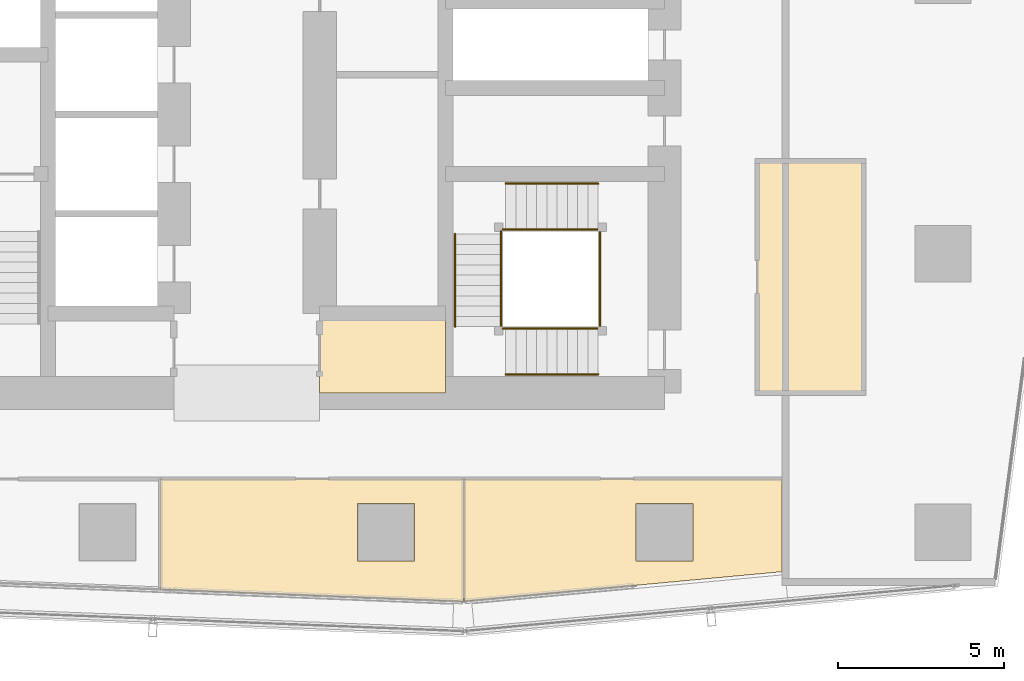
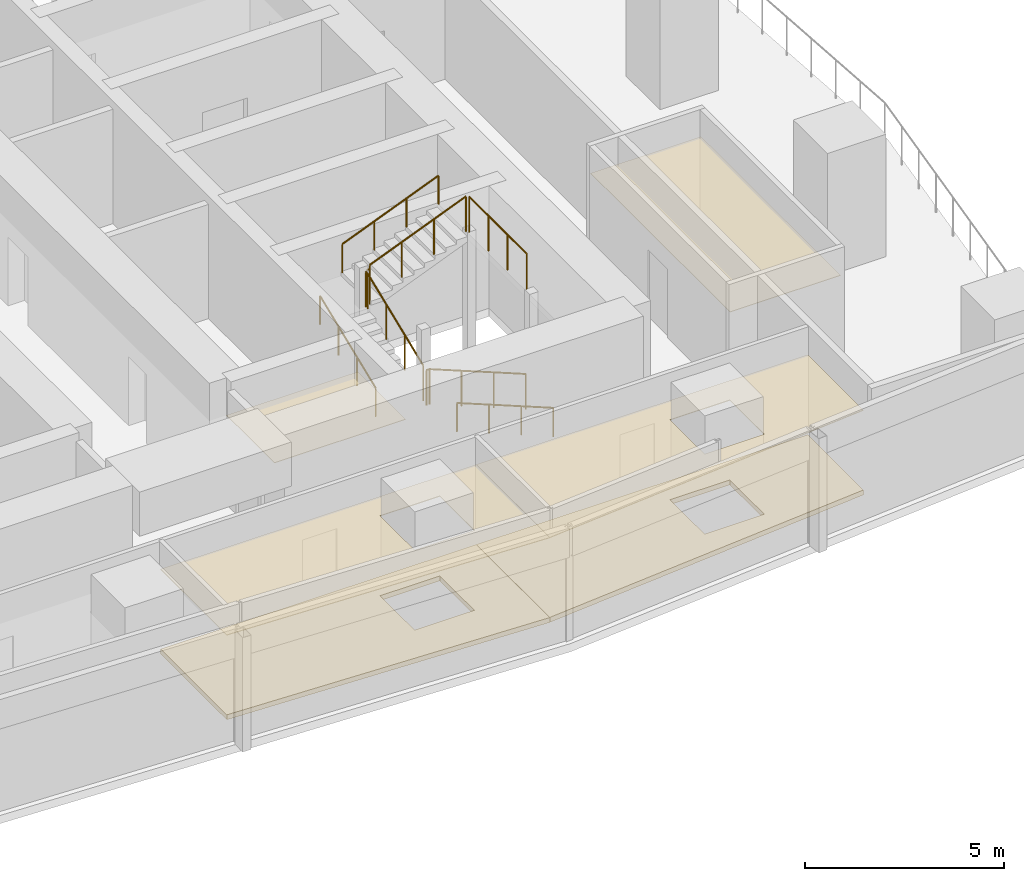
# One storey, part 32 of 34: 10 railings, 6 coverings.
"""IFC4 building model written with IfcOpenShell, lengths in metres."""

import ifcopenshell
import ifcopenshell.guid

model = None  # the IFC model being written
_history = None  # IfcOwnerHistory: only IFC2X3 demands one
_inside = {}  # id of a spatial element -> (the spatial element, [elements in it])
_under = {}  # id of a project, library or spatial element -> (it, [spatial elements below it])
_declared = {}  # id of a project -> (the project, [libraries it declares])
_typed = {}  # id of a type object -> (the type object, [elements of that type])
_made_of = {}  # id of a material, layer set ... -> (it, [elements and type objects made of it])


def new_model(schema):
    """Start an empty IFC model of exactly this schema.

    Asked for "IFC4X3", IfcOpenShell would pick the latest addendum, in which some entities
    have other attributes; the version numbers below select the first issue.
    IFC2X3 requires an IfcOwnerHistory on every rooted entity: one is made here for all.
    """
    global model, _history
    if schema == "IFC4X3":
        model = ifcopenshell.file(schema_version=(4, 3, 0, 0))
    else:
        model = ifcopenshell.file(schema=schema)
    _inside.clear()
    _under.clear()
    _declared.clear()
    _typed.clear()
    _made_of.clear()
    _history = None
    if model.schema == "IFC2X3":
        org = make("IfcOrganization", Name="unknown")
        user = make(
            "IfcPersonAndOrganization",
            ThePerson=make("IfcPerson", FamilyName="unknown"),
            TheOrganization=org,
        )
        app = make(
            "IfcApplication",
            ApplicationDeveloper=org,
            Version="unknown",
            ApplicationFullName="unknown",
            ApplicationIdentifier="unknown",
        )
        _history = make(
            "IfcOwnerHistory",
            OwningUser=user,
            OwningApplication=app,
            ChangeAction="ADDED",
            CreationDate=0,
        )
    return model


def make(cls, **values):
    """One entity of the class cls with the attributes given. An attribute that is None is left unset."""
    return model.create_entity(
        cls, **{name: value for name, value in values.items() if value is not None}
    )


def rooted(cls, **values):
    """An entity with a GlobalId (a new one), such as an element, a storey or a relation."""
    return make(cls, GlobalId=ifcopenshell.guid.new(), OwnerHistory=_history, **values)


def si_unit(unit_type, name, prefix=None):
    """IfcSIUnit, for example si_unit("LENGTHUNIT", "METRE", prefix="MILLI")."""
    return make("IfcSIUnit", UnitType=unit_type, Prefix=prefix, Name=name)


def assignment(units):
    """IfcUnitAssignment: the units of a project."""
    return None if units is None else make("IfcUnitAssignment", Units=units)


def point(xyz):
    """IfcCartesianPoint."""
    return None if xyz is None else make("IfcCartesianPoint", Coordinates=xyz)


def direction(xyz):
    """IfcDirection."""
    return None if xyz is None else make("IfcDirection", DirectionRatios=xyz)


def frame(location, z_axis=None, x_axis=None):
    """IfcAxis2Placement3D, a coordinate frame: its origin and axes. An axis left out is left unset."""
    return make(
        "IfcAxis2Placement3D",
        Location=point(location),
        Axis=direction(z_axis),
        RefDirection=direction(x_axis),
    )


def frame_2d(location, x_axis=None):
    """IfcAxis2Placement2D, a coordinate frame in the plane: its origin and x axis."""
    return make(
        "IfcAxis2Placement2D", Location=point(location), RefDirection=direction(x_axis)
    )


def origin():
    """The frame at (0, 0, 0) with its axes left unset."""
    return frame((0.0, 0.0, 0.0))


def origin_2d():
    """The frame at (0, 0) in the plane with its x axis left unset."""
    return frame_2d((0.0, 0.0))


def place(relative_to, where):
    """IfcLocalPlacement: puts the frame where relative to a parent placement (None: the world)."""
    return make(
        "IfcLocalPlacement", PlacementRelTo=relative_to, RelativePlacement=where
    )


def context(
    kind, dimensions, precision=None, world=None, true_north=None, identifier=None
):
    """IfcGeometricRepresentationContext, for example the 3D "Model" context."""
    return make(
        "IfcGeometricRepresentationContext",
        ContextIdentifier=identifier,
        ContextType=kind,
        CoordinateSpaceDimension=dimensions,
        Precision=precision,
        WorldCoordinateSystem=world,
        TrueNorth=true_north,
    )


def subcontext(parent, identifier, kind, view, scale=None):
    """IfcGeometricRepresentationSubContext, for example "Body" below "Model"."""
    return make(
        "IfcGeometricRepresentationSubContext",
        ContextIdentifier=identifier,
        ContextType=kind,
        ParentContext=parent,
        TargetScale=scale,
        TargetView=view,
    )


def project(units=None, contexts=None):
    """IfcProject with its units and contexts."""
    return rooted(
        "IfcProject",
        Name="project",
        RepresentationContexts=contexts,
        UnitsInContext=assignment(units),
    )


def spatial(cls, under=None, at=None, **own):
    """A site, building, storey or space (cls), placed at a placement, below another one or the project."""
    s = rooted(cls, ObjectPlacement=at, **own)
    if under is not None:
        _under.setdefault(under.id(), (under, []))[1].append(s)
    return s


def polyline(points):
    """IfcPolyline through the points."""
    return make("IfcPolyline", Points=[point(p) for p in points])


def profile(cls, at=None, kind="AREA", **sizes):
    """A parametric profile (cls). Its sizes go by their IFC names, for example OverallWidth=200.0."""
    return make(cls, ProfileType=kind, Position=at, **sizes)


def circle(**sizes):
    """IfcCircleProfileDef."""
    return profile("IfcCircleProfileDef", **sizes)


def outline(outer, holes=None, kind="AREA"):
    """IfcArbitraryClosedProfileDef: a profile drawn as a closed curve; with holes, ...WithVoids."""
    if holes is None:
        return make("IfcArbitraryClosedProfileDef", ProfileType=kind, OuterCurve=outer)
    return make(
        "IfcArbitraryProfileDefWithVoids",
        ProfileType=kind,
        OuterCurve=outer,
        InnerCurves=holes,
    )


def extrude(swept, where, along, depth):
    """IfcExtrudedAreaSolid: the profile swept, set in the frame where, extruded along a direction by depth."""
    return make(
        "IfcExtrudedAreaSolid",
        SweptArea=swept,
        Position=where,
        ExtrudedDirection=direction(along),
        Depth=depth,
    )


def shape(context_of_items, identifier, shape_type, items):
    """IfcShapeRepresentation: the items that make up one representation, for example the "Body"."""
    return make(
        "IfcShapeRepresentation",
        ContextOfItems=context_of_items,
        RepresentationIdentifier=identifier,
        RepresentationType=shape_type,
        Items=items,
    )


def material(Name=None, Category=None):
    """IfcMaterial."""
    return make("IfcMaterial", Name=Name, Category=Category)


def layer(
    of_material, thickness, ventilated=None, Name=None, Category=None, Priority=None
):
    """IfcMaterialLayer: one layer of a wall or slab, of a material (None: an air gap)."""
    return make(
        "IfcMaterialLayer",
        Material=of_material,
        LayerThickness=thickness,
        IsVentilated=ventilated,
        Name=Name,
        Category=Category,
        Priority=Priority,
    )


def layer_set(layers, Name=None):
    """IfcMaterialLayerSet."""
    return make("IfcMaterialLayerSet", MaterialLayers=layers, LayerSetName=Name)


def made_of(thing, what):
    """Note that an element or type object is made of a material, layer set ...; save() writes the relation."""
    if what is not None:
        _made_of.setdefault(what.id(), (what, []))[1].append(thing)
    return thing


def type_object(cls, material=None, **own):
    """A type object (cls), such as IfcWallType, which elements share."""
    return made_of(rooted(cls, **own), material)


def element(
    cls,
    number,
    at=None,
    inside=None,
    cuts=None,
    type_object=None,
    material=None,
    context=None,
    identifier="Body",
    shape_type=None,
    held_by="IfcProductDefinitionShape",
    body=None,
    shapes=None,
    **own,
):
    """One element of the class cls, such as IfcWall. Its Tag is "e" and its number.

    at: its placement. inside: the storey or other place that contains it. cuts: it is an
    opening in that element (IfcRelVoidsElement). A single representation is given by context,
    identifier, shape_type and body (its items); several are given by shapes. held_by: the class
    of the entity that holds the representations. save() writes the other relations.
    """
    e = rooted(cls, Tag="e%d" % number, ObjectPlacement=at, **own)
    if body is not None:
        shapes = [shape(context, identifier, shape_type, body)]
    if shapes is not None:
        e.Representation = make(held_by, Representations=shapes)
    if inside is not None:
        _inside.setdefault(inside.id(), (inside, []))[1].append(e)
    if cuts is not None:
        rooted(
            "IfcRelVoidsElement", RelatingBuildingElement=cuts, RelatedOpeningElement=e
        )
    if type_object is not None:
        _typed.setdefault(type_object.id(), (type_object, []))[1].append(e)
    return made_of(e, material)


def aggregate(whole, parts):
    """IfcRelAggregates: a whole, such as a stair, and the parts it consists of."""
    return rooted("IfcRelAggregates", RelatingObject=whole, RelatedObjects=parts)


def save(model, path):
    """Write the relations noted so far, then the file.

    IfcRelAggregates (storeys below a building ...), IfcRelContainedInSpatialStructure (elements
    in a storey), IfcRelDefinesByType, IfcRelAssociatesMaterial and IfcRelDeclares: one each for
    every whole, place, type object, material and project.
    """
    for whole, parts in _under.values():
        aggregate(whole, parts)
    for where, things in _inside.values():
        rooted(
            "IfcRelContainedInSpatialStructure",
            RelatedElements=things,
            RelatingStructure=where,
        )
    for kind, things in _typed.values():
        rooted("IfcRelDefinesByType", RelatedObjects=things, RelatingType=kind)
    for what, things in _made_of.values():
        rooted("IfcRelAssociatesMaterial", RelatedObjects=things, RelatingMaterial=what)
    for by, libraries in _declared.values():
        rooted("IfcRelDeclares", RelatingContext=by, RelatedDefinitions=libraries)
    model.write(path)


model = new_model("IFC4")

# Units and contexts
model_context = context("Model", 3, precision=1e-05, world=origin(), true_north=direction((0.0, 1.0)))
body_context = subcontext(model_context, "Body", "Model", "MODEL_VIEW")
ifc_project = project(units=[si_unit("LENGTHUNIT", "METRE"), si_unit("AREAUNIT", "SQUARE_METRE"), si_unit("VOLUMEUNIT", "CUBIC_METRE"), si_unit("PLANEANGLEUNIT", "RADIAN"), si_unit("MASSUNIT", "GRAM", prefix="KILO")], contexts=[model_context])

# Site, building, storey
site_placement = place(None, origin())
site = spatial("IfcSite", under=ifc_project, at=site_placement, CompositionType="ELEMENT")
building_placement = place(site_placement, origin())
building = spatial("IfcBuilding", under=site, at=building_placement, Name="Rekha Terrace Tower", CompositionType="ELEMENT")
storey_placement = place(building_placement, frame((0.0, 0.0, 176.449951171875)))
storey = spatial("IfcBuildingStorey", under=building, at=storey_placement, Name="L44", CompositionType="ELEMENT", Elevation=176.449951171875)

# Coverings
ifc_material_1 = material(Name="Mineral fibre tile in exposed grid", Category="finish")
ifc_layer_1 = layer(ifc_material_1, 0.02001953125)
ifc_layer_set_1 = layer_set([ifc_layer_1], Name="Mineral fibre tile in exposed grid")
covering_type_1 = type_object("IfcCoveringType", Name="CL1 600x1200 office grid ceiling", PredefinedType="CEILING", material=ifc_layer_set_1)
covering_1_placement = place(storey_placement, frame((0.0, 0.0, 2.580078125)))
element("IfcCovering", 1, at=covering_1_placement, inside=storey, type_object=covering_type_1, Name="Ceiling L44-07", PredefinedType="CEILING", context=body_context, shape_type="SweptSolid", body=[
    extrude(outline(polyline([(44.343994140625, 18.39990234375), (35.199951171875, 18.39990234375), (35.199951171875, 15.075927734375), (44.343994140625, 14.7109375), (44.343994140625, 18.39990234375)]), holes=[polyline([(42.864990234375, 17.6650390625), (42.864990234375, 15.93505859375), (41.135009765625, 15.93505859375), (41.135009765625, 17.6650390625), (42.864990234375, 17.6650390625)])]), origin(), (0.0, 0.0, 1.0), 0.02001953125),
])
covering_2_placement = place(storey_placement, frame((0.0, 0.0, 2.580078125)))
element("IfcCovering", 2, at=covering_2_placement, inside=storey, type_object=covering_type_1, Name="Ceiling L44-08", PredefinedType="CEILING", context=body_context, shape_type="SweptSolid", body=[
    extrude(outline(polyline([(44.344970703125, 18.39990234375), (44.344970703125, 14.715087890625), (53.948974609375, 15.60888671875), (53.948974609375, 18.39990234375), (44.344970703125, 18.39990234375)]), holes=[polyline([(51.264892578125, 15.93505859375), (49.534912109375, 15.93505859375), (49.534912109375, 17.6650390625), (51.264892578125, 17.6650390625), (51.264892578125, 15.93505859375)])]), origin(), (0.0, 0.0, 1.0), 0.02001953125),
])
ifc_material_2 = material(Name="Fibre cement board", Category="finish")
ifc_layer_2 = layer(ifc_material_2, 0.014892578125)
ifc_layer_set_2 = layer_set([ifc_layer_2], Name="Fibre cement board")
covering_type_2 = type_object("IfcCoveringType", Name="CL2 moisture-resistant board ceiling", PredefinedType="CEILING", material=ifc_layer_set_2)
covering_3_placement = place(storey_placement, frame((0.0, 0.0, 2.5849609375)))
element("IfcCovering", 3, at=covering_3_placement, inside=storey, type_object=covering_type_2, Name="Ceiling L44-WCA", PredefinedType="CEILING", context=body_context, shape_type="SweptSolid", body=[
    extrude(outline(polyline([(43.800048828125, 23.39990234375), (40.0, 23.39990234375), (40.0, 21.0), (43.800048828125, 21.0), (43.800048828125, 23.39990234375)])), origin(), (0.0, 0.0, 1.0), 0.01513671875),
])
covering_4_placement = place(storey_placement, frame((0.0, 0.0, 2.5849609375)))
element("IfcCovering", 4, at=covering_4_placement, inside=storey, type_object=covering_type_2, Name="Ceiling L44-WCM2", PredefinedType="CEILING", context=body_context, shape_type="SweptSolid", body=[
    extrude(outline(polyline([(56.39990234375, 28.0), (53.199951171875, 28.0), (53.199951171875, 21.0), (56.39990234375, 21.0), (56.39990234375, 28.0)])), origin(), (0.0, 0.0, 1.0), 0.01513671875),
])

# Railings
ifc_material_3 = material(Name="Stainless steel balustrade", Category="steel")
railing_type_1 = type_object("IfcRailingType", Name="GR1 1100 stair guard", PredefinedType="GUARDRAIL", material=ifc_material_3)
railing_1_placement = place(storey_placement, frame((48.39990234375, 22.93994140625, 0.125)))
element("IfcRailing", 5, at=railing_1_placement, inside=storey, type_object=railing_type_1, Name="Guard ST3 L44 flight 1", PredefinedType="GUARDRAIL", context=body_context, shape_type="SweptSolid", body=[
    extrude(circle(Radius=0.02392578125, at=origin_2d()), frame((0.0, 0.0, 1.076171875), z_axis=(-0.927431937212, 0.0, 0.373991980981), x_axis=(0.0, -1.0, 0.0)), (0.0, 0.0, 1.0), 3.008056640625),
    extrude(circle(Radius=0.02099609375, at=origin_2d()), origin(), (0.0, 0.0, 1.0), 1.052001953125),
    extrude(circle(Radius=0.02099609375, at=origin_2d()), frame((-0.929931640625, 0.0, 0.375)), (0.0, 0.0, 1.0), 1.052001953125),
    extrude(circle(Radius=0.02099609375, at=origin_2d()), frame((-1.85986328125, 0.0, 0.75)), (0.0, 0.0, 1.0), 1.052001953125),
    extrude(circle(Radius=0.02099609375, at=origin_2d()), frame((-2.789794921875, 0.0, 1.125)), (0.0, 0.0, 1.0), 1.052001953125),
])
railing_2_placement = place(storey_placement, frame((45.465087890625, 23.0, 1.375)))
element("IfcRailing", 6, at=railing_2_placement, inside=storey, type_object=railing_type_1, Name="Guard ST3 L44 flight 2", PredefinedType="GUARDRAIL", context=body_context, shape_type="SweptSolid", body=[
    extrude(circle(Radius=0.02392578125, at=origin_2d()), frame((0.0, 0.0, 1.076171875), z_axis=(0.0, 0.927443287984, 0.373963831907), x_axis=(-1.0, 0.0, 0.0)), (0.0, 0.0, 1.0), 3.00830078125),
    extrude(circle(Radius=0.02099609375, at=origin_2d()), origin(), (0.0, 0.0, 1.0), 1.052001953125),
    extrude(circle(Radius=0.02099609375, at=origin_2d()), frame((0.0, 0.929931640625, 0.375)), (0.0, 0.0, 1.0), 1.052001953125),
    extrude(circle(Radius=0.02099609375, at=origin_2d()), frame((0.0, 1.860107421875, 0.75)), (0.0, 0.0, 1.0), 1.052001953125),
    extrude(circle(Radius=0.02099609375, at=origin_2d()), frame((0.0, 2.7900390625, 1.125)), (0.0, 0.0, 1.0), 1.052001953125),
])
railing_3_placement = place(storey_placement, frame((45.610107421875, 25.93505859375, 2.625)))
element("IfcRailing", 7, at=railing_3_placement, inside=storey, type_object=railing_type_1, Name="Guard ST3 L44 flight 3", PredefinedType="GUARDRAIL", context=body_context, shape_type="SweptSolid", body=[
    extrude(circle(Radius=0.02392578125, at=origin_2d()), frame((0.0, 0.0, 1.076171875), z_axis=(0.927431937212, 0.0, 0.373991980981), x_axis=(0.0, 1.0, 0.0)), (0.0, 0.0, 1.0), 3.008056640625),
    extrude(circle(Radius=0.02099609375, at=origin_2d()), origin(), (0.0, 0.0, 1.0), 1.052001953125),
    extrude(circle(Radius=0.02099609375, at=origin_2d()), frame((0.929931640625, 0.0, 0.375)), (0.0, 0.0, 1.0), 1.052001953125),
    extrude(circle(Radius=0.02099609375, at=origin_2d()), frame((1.85986328125, 0.0, 0.75)), (0.0, 0.0, 1.0), 1.052001953125),
    extrude(circle(Radius=0.02099609375, at=origin_2d()), frame((2.789794921875, 0.0, 1.125)), (0.0, 0.0, 1.0), 1.052001953125),
])
railing_4_placement = place(storey_placement, frame((45.610107421875, 22.93994140625, 1.25)))
element("IfcRailing", 8, at=railing_4_placement, inside=storey, type_object=railing_type_1, Name="Guard ST3 L44 landing 1", PredefinedType="GUARDRAIL", context=body_context, shape_type="SweptSolid", body=[
    extrude(circle(Radius=0.02392578125, at=origin_2d()), frame((0.0, 0.0, 1.076171875), z_axis=(-1.0, 0.0, 0.0), x_axis=(0.0, -1.0, 0.0)), (0.0, 0.0, 1.0), 0.085205078125),
    extrude(circle(Radius=0.02099609375, at=origin_2d()), origin(), (0.0, 0.0, 1.0), 1.052001953125),
    extrude(circle(Radius=0.02099609375, at=origin_2d()), frame((-0.085205078125, 0.0, 0.0)), (0.0, 0.0, 1.0), 1.052001953125),
])
railing_5_placement = place(storey_placement, frame((45.465087890625, 25.7900390625, 2.5)))
element("IfcRailing", 9, at=railing_5_placement, inside=storey, type_object=railing_type_1, Name="Guard ST3 L44 landing 2", PredefinedType="GUARDRAIL", context=body_context, shape_type="SweptSolid", body=[
    extrude(circle(Radius=0.02392578125, at=origin_2d()), frame((0.0, 0.0, 1.076171875), z_axis=(0.0, 1.0, 0.0), x_axis=(-1.0, 0.0, 0.0)), (0.0, 0.0, 1.0), 0.0849609375),
    extrude(circle(Radius=0.02099609375, at=origin_2d()), origin(), (0.0, 0.0, 1.0), 1.052001953125),
    extrude(circle(Radius=0.02099609375, at=origin_2d()), frame((0.0, 0.0849609375, 0.0)), (0.0, 0.0, 1.0), 1.052001953125),
])
railing_6_placement = place(storey_placement, frame((45.610107421875, 25.93505859375, 2.5)))
element("IfcRailing", 10, at=railing_6_placement, inside=storey, type_object=railing_type_1, Name="Guard ST3 L44 landing 3", PredefinedType="GUARDRAIL", context=body_context, shape_type="SweptSolid", body=[
    extrude(circle(Radius=0.02392578125, at=origin_2d()), frame((0.0, 0.0, 1.076171875), z_axis=(-1.0, 0.0, 0.0), x_axis=(0.0, -1.0, 0.0)), (0.0, 0.0, 1.0), 0.085205078125),
    extrude(circle(Radius=0.02099609375, at=origin_2d()), origin(), (0.0, 0.0, 1.0), 1.052001953125),
    extrude(circle(Radius=0.02099609375, at=origin_2d()), frame((-0.085205078125, 0.0, 0.0)), (0.0, 0.0, 1.0), 1.052001953125),
])
railing_7_placement = place(storey_placement, frame((48.4599609375, 23.0, 3.75)))
element("IfcRailing", 11, at=railing_7_placement, inside=storey, type_object=railing_type_1, Name="Guard ST3 L44 landing 4", PredefinedType="GUARDRAIL", context=body_context, shape_type="SweptSolid", body=[
    extrude(circle(Radius=0.02392578125, at=origin_2d()), frame((0.0, 0.0, 1.076171875), z_axis=(0.0, 1.0, 0.0), x_axis=(-1.0, 0.0, 0.0)), (0.0, 0.0, 1.0), 2.875),
    extrude(circle(Radius=0.02099609375, at=origin_2d()), origin(), (0.0, 0.0, 1.0), 1.052001953125),
    extrude(circle(Radius=0.02099609375, at=origin_2d()), frame((0.0, 0.958251953125, 0.0)), (0.0, 0.0, 1.0), 1.052001953125),
    extrude(circle(Radius=0.02099609375, at=origin_2d()), frame((0.0, 1.916748046875, 0.0)), (0.0, 0.0, 1.0), 1.052001953125),
    extrude(circle(Radius=0.02099609375, at=origin_2d()), frame((0.0, 2.875, 0.0)), (0.0, 0.0, 1.0), 1.052001953125),
])
ifc_material_4 = material(Name="Stainless steel tube", Category="steel")
railing_type_2 = type_object("IfcRailingType", Name="HR1 900 stair handrail", PredefinedType="HANDRAIL", material=ifc_material_4)
railing_8_placement = place(storey_placement, frame((48.39990234375, 21.56005859375, 0.125)))
element("IfcRailing", 12, at=railing_8_placement, inside=storey, type_object=railing_type_2, Name="Handrail ST3 L44 flight 1", PredefinedType="HANDRAIL", context=body_context, shape_type="SweptSolid", body=[
    extrude(circle(Radius=0.02392578125, at=origin_2d()), frame((0.0, 0.0, 0.8759765625), z_axis=(-0.927431937212, 0.0, 0.373991980981), x_axis=(0.0, -1.0, 0.0)), (0.0, 0.0, 1.0), 3.008056640625),
    extrude(circle(Radius=0.02099609375, at=origin_2d()), origin(), (0.0, 0.0, 1.0), 0.851806640625),
    extrude(circle(Radius=0.02099609375, at=origin_2d()), frame((-0.929931640625, 0.0, 0.375)), (0.0, 0.0, 1.0), 0.851806640625),
    extrude(circle(Radius=0.02099609375, at=origin_2d()), frame((-1.85986328125, 0.0, 0.75)), (0.0, 0.0, 1.0), 0.851806640625),
    extrude(circle(Radius=0.02099609375, at=origin_2d()), frame((-2.789794921875, 0.0, 1.125)), (0.0, 0.0, 1.0), 0.851806640625),
])
railing_9_placement = place(storey_placement, frame((44.0849609375, 23.0, 1.375)))
element("IfcRailing", 13, at=railing_9_placement, inside=storey, type_object=railing_type_2, Name="Handrail ST3 L44 flight 2", PredefinedType="HANDRAIL", context=body_context, shape_type="SweptSolid", body=[
    extrude(circle(Radius=0.02392578125, at=origin_2d()), frame((0.0, 0.0, 0.8759765625), z_axis=(0.0, 0.927443287984, 0.373963831907), x_axis=(-1.0, 0.0, 0.0)), (0.0, 0.0, 1.0), 3.00830078125),
    extrude(circle(Radius=0.02099609375, at=origin_2d()), origin(), (0.0, 0.0, 1.0), 0.851806640625),
    extrude(circle(Radius=0.02099609375, at=origin_2d()), frame((0.0, 0.929931640625, 0.375)), (0.0, 0.0, 1.0), 0.851806640625),
    extrude(circle(Radius=0.02099609375, at=origin_2d()), frame((0.0, 1.860107421875, 0.75)), (0.0, 0.0, 1.0), 0.851806640625),
    extrude(circle(Radius=0.02099609375, at=origin_2d()), frame((0.0, 2.7900390625, 1.125)), (0.0, 0.0, 1.0), 0.851806640625),
])
railing_10_placement = place(storey_placement, frame((45.610107421875, 27.31494140625, 2.625)))
element("IfcRailing", 14, at=railing_10_placement, inside=storey, type_object=railing_type_2, Name="Handrail ST3 L44 flight 3", PredefinedType="HANDRAIL", context=body_context, shape_type="SweptSolid", body=[
    extrude(circle(Radius=0.02392578125, at=origin_2d()), frame((0.0, 0.0, 0.8759765625), z_axis=(0.927431937212, 0.0, 0.373991980981), x_axis=(0.0, 1.0, 0.0)), (0.0, 0.0, 1.0), 3.008056640625),
    extrude(circle(Radius=0.02099609375, at=origin_2d()), origin(), (0.0, 0.0, 1.0), 0.851806640625),
    extrude(circle(Radius=0.02099609375, at=origin_2d()), frame((0.929931640625, 0.0, 0.375)), (0.0, 0.0, 1.0), 0.851806640625),
    extrude(circle(Radius=0.02099609375, at=origin_2d()), frame((1.85986328125, 0.0, 0.75)), (0.0, 0.0, 1.0), 0.851806640625),
    extrude(circle(Radius=0.02099609375, at=origin_2d()), frame((2.789794921875, 0.0, 1.125)), (0.0, 0.0, 1.0), 0.851806640625),
])

# Coverings
ifc_material_5 = material(Name="Calcium sulphate panels on steel pedestals", Category="steel")
ifc_layer_3 = layer(ifc_material_5, 0.14990234375)
ifc_layer_set_3 = layer_set([ifc_layer_3], Name="Calcium sulphate panels on steel pedestals")
covering_type_3 = type_object("IfcCoveringType", Name="RF1 150 raised access floor", PredefinedType="FLOORING", material=ifc_layer_set_3)
covering_5_placement = place(storey_placement, origin())
element("IfcCovering", 15, at=covering_5_placement, inside=storey, type_object=covering_type_3, Name="Raised floor L44-07", PredefinedType="FLOORING", context=body_context, shape_type="SweptSolid", body=[
    extrude(outline(polyline([(44.343994140625, 18.39990234375), (35.199951171875, 18.39990234375), (35.199951171875, 15.075927734375), (44.343994140625, 14.7109375), (44.343994140625, 18.39990234375)]), holes=[polyline([(42.864990234375, 17.6650390625), (42.864990234375, 15.93505859375), (41.135009765625, 15.93505859375), (41.135009765625, 17.6650390625), (42.864990234375, 17.6650390625)])]), origin(), (0.0, 0.0, 1.0), 0.150146484375),
])
covering_6_placement = place(storey_placement, origin())
element("IfcCovering", 16, at=covering_6_placement, inside=storey, type_object=covering_type_3, Name="Raised floor L44-08", PredefinedType="FLOORING", context=body_context, shape_type="SweptSolid", body=[
    extrude(outline(polyline([(44.344970703125, 18.39990234375), (44.344970703125, 14.715087890625), (53.948974609375, 15.60888671875), (53.948974609375, 18.39990234375), (44.344970703125, 18.39990234375)]), holes=[polyline([(51.264892578125, 15.93505859375), (49.534912109375, 15.93505859375), (49.534912109375, 17.6650390625), (51.264892578125, 17.6650390625), (51.264892578125, 15.93505859375)])]), origin(), (0.0, 0.0, 1.0), 0.150146484375),
])

save(model, "model.ifc")
